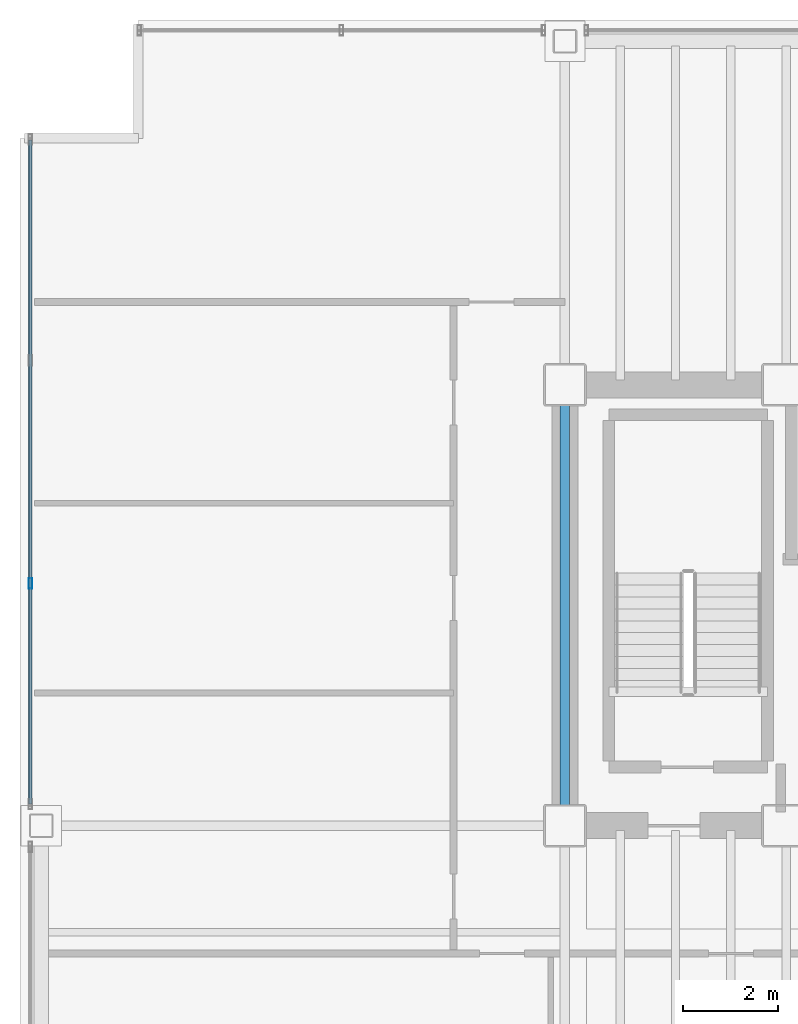
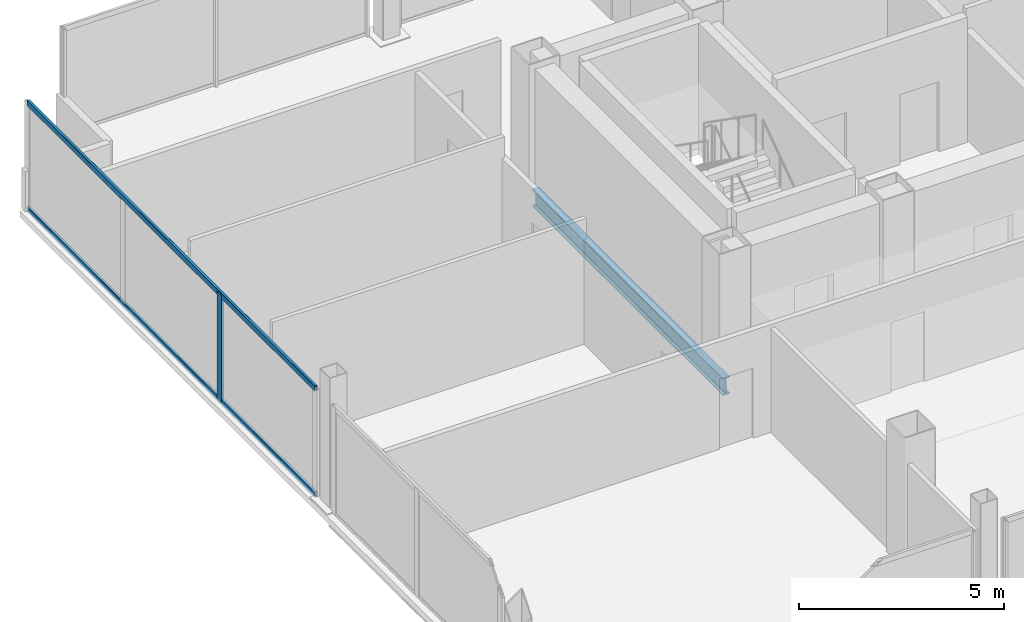
# One storey, part 6 of 19: 3 members, 1 beam, 1 element without a shape of its own.
"""IFC4 building model written with IfcOpenShell, lengths in metres."""

from ifc_helpers import new_model, si_unit, direction, frame, origin, origin_2d, place, context, subcontext, project, spatial, hollow_rectangle, i_section, extrude, material, material_profile, profile_set, type_object, element, aggregate, save


model = new_model("IFC4")

# Units and contexts
model_context = context("Model", 3, precision=1e-05, world=origin(), true_north=direction((0.0, 1.0)))
body_context = subcontext(model_context, "Body", "Model", "MODEL_VIEW")
ifc_project = project(units=[si_unit("LENGTHUNIT", "METRE"), si_unit("AREAUNIT", "SQUARE_METRE"), si_unit("VOLUMEUNIT", "CUBIC_METRE"), si_unit("PLANEANGLEUNIT", "RADIAN"), si_unit("MASSUNIT", "GRAM", prefix="KILO")], contexts=[model_context])

# Site, building, storey
site_placement = place(None, origin())
site = spatial("IfcSite", under=ifc_project, at=site_placement, CompositionType="ELEMENT")
building_placement = place(site_placement, origin())
building = spatial("IfcBuilding", under=site, at=building_placement, Name="Noeulbin Bourse Tower", CompositionType="ELEMENT")
storey_placement = place(building_placement, frame((0.0, 0.0, 150.0)))
storey = spatial("IfcBuildingStorey", under=building, at=storey_placement, Name="L37", CompositionType="ELEMENT", Elevation=150.0)

# Beam
ifc_material_1 = material(Name="Steel S355", Category="steel")
ifc_material_profile_1 = material_profile(ifc_material_1, i_section(OverallWidth=0.199951171875, OverallDepth=0.5, WebThickness=0.010009765625, FlangeThickness=0.01611328125, FilletRadius=0.02001953125, at=origin_2d()), Name="H-500x200x10x16", Category="LoadBearing")
ifc_profile_set_1 = profile_set([ifc_material_profile_1], Name="Steel S355")
beam_type = type_object("IfcBeamType", Name="BM-GRD-500", PredefinedType="USERDEFINED", material=ifc_profile_set_1)
beam_placement = place(storey_placement, frame((13.5, 29.0, -0.429931640625), z_axis=(0.0, 1.0, 0.0), x_axis=(-1.0, 0.0, 0.0)))
element("IfcBeam", 1, at=beam_placement, inside=storey, type_object=beam_type, Name="Tower Primary Girder NS L37-1.3", ObjectType="GIRDER", PredefinedType="USERDEFINED", context=body_context, shape_type="SweptSolid", body=[
    extrude(i_section(OverallWidth=0.199951171875, OverallDepth=0.5, WebThickness=0.010009765625, FlangeThickness=0.01611328125, FilletRadius=0.02001953125, at=origin_2d()), origin(), (0.0, 0.0, 1.0), 9.300048828125),
])

# Curtain wall, members
ifc_material_2 = material(Name="Dark Tinted Triple Glazing", Category="glass")
curtain_wall_type = type_object("IfcCurtainWallType", Name="CW-SYS-3", PredefinedType="NOTDEFINED", material=ifc_material_2)
curtain_wall_placement = place(storey_placement, origin())
curtain_wall = element("IfcCurtainWall", 2, at=curtain_wall_placement, inside=storey, type_object=curtain_wall_type, Name="Unitised Curtain Wall CW-L37-W-S2", PredefinedType="NOTDEFINED")
ifc_material_3 = material(Name="Anodised Aluminium 6063-T6", Category="aluminium")
ifc_material_profile_2 = material_profile(ifc_material_3, hollow_rectangle(XDim=0.074951171875, YDim=0.219970703125, WallThickness=0.0048828125, InnerFilletRadius=0.00244140625, OuterFilletRadius=0.0048828125, at=origin_2d()), Name="ALU-MULL-75x220x5", Category="LoadBearing")
ifc_profile_set_2 = profile_set([ifc_material_profile_2], Name="Anodised Aluminium 6063-T6")
member_type_1 = type_object("IfcMemberType", Name="CW-SYS-3-MUL", PredefinedType="MULLION", material=ifc_profile_set_2)
member_1_placement = place(storey_placement, frame((2.219970703125, 34.11328125, -0.02001953125), z_axis=(0.0, 0.0, 1.0), x_axis=(1.0, 0.0, 0.0)))
member_1 = element("IfcMember", 3, at=member_1_placement, type_object=member_type_1, Name="Curtain Wall Mullion CW-L37-W-S2-M01", PredefinedType="MULLION", context=body_context, shape_type="SweptSolid", body=[
    extrude(hollow_rectangle(XDim=0.074951171875, YDim=0.219970703125, WallThickness=0.0048828125, InnerFilletRadius=0.00244140625, OuterFilletRadius=0.0048828125, at=origin_2d()), origin(), (0.0, 0.0, 1.0), 3.219970703125),
])
ifc_material_profile_3 = material_profile(ifc_material_3, hollow_rectangle(XDim=0.074951171875, YDim=0.159912109375, WallThickness=0.0048828125, InnerFilletRadius=0.00244140625, OuterFilletRadius=0.0048828125, at=origin_2d()), Name="ALU-TRAN-75x160x5", Category="LoadBearing")
ifc_profile_set_3 = profile_set([ifc_material_profile_3], Name="Anodised Aluminium 6063-T6")
member_type_2 = type_object("IfcMemberType", Name="CW-SYS-3-TRN", PredefinedType="USERDEFINED", material=ifc_profile_set_3)
member_2_placement = place(storey_placement, frame((2.219970703125, 29.4599609375, 0.010009765625), z_axis=(0.0, 1.0, 0.0), x_axis=(-1.0, 0.0, 0.0)))
member_2 = element("IfcMember", 4, at=member_2_placement, type_object=member_type_2, Name="Curtain Wall Transom CW-L37-W-S2-T00", ObjectType="TRANSOM", PredefinedType="USERDEFINED", context=body_context, shape_type="SweptSolid", body=[
    extrude(hollow_rectangle(XDim=0.074951171875, YDim=0.159912109375, WallThickness=0.0048828125, InnerFilletRadius=0.00244140625, OuterFilletRadius=0.0048828125, at=origin_2d()), origin(), (0.0, 0.0, 1.0), 14.010009765625),
])
member_3_placement = place(storey_placement, frame((2.219970703125, 29.4599609375, 3.169921875), z_axis=(0.0, 1.0, 0.0), x_axis=(-1.0, 0.0, 0.0)))
member_3 = element("IfcMember", 5, at=member_3_placement, type_object=member_type_2, Name="Curtain Wall Transom CW-L37-W-S2-T01", ObjectType="TRANSOM", PredefinedType="USERDEFINED", context=body_context, shape_type="SweptSolid", body=[
    extrude(hollow_rectangle(XDim=0.074951171875, YDim=0.159912109375, WallThickness=0.0048828125, InnerFilletRadius=0.00244140625, OuterFilletRadius=0.0048828125, at=origin_2d()), origin(), (0.0, 0.0, 1.0), 14.010009765625),
])
aggregate(curtain_wall, [member_1, member_2, member_3])

save(model, "model.ifc")
